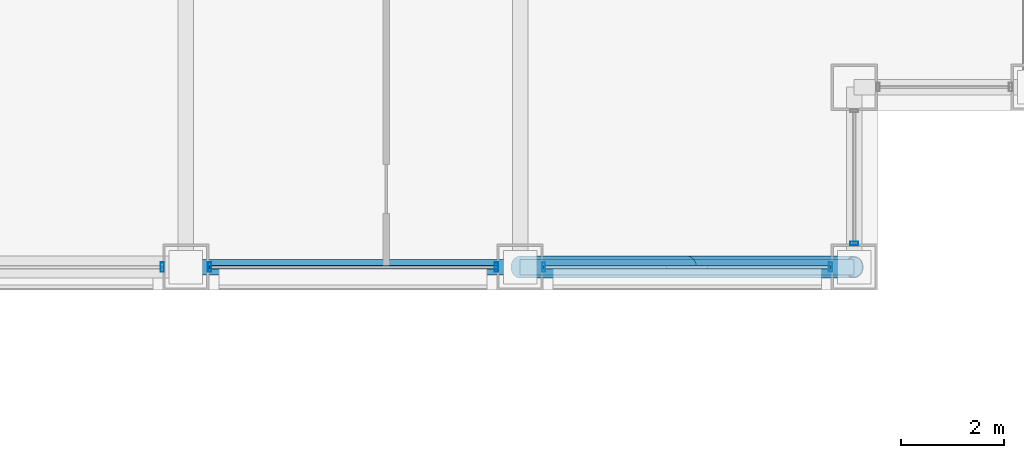
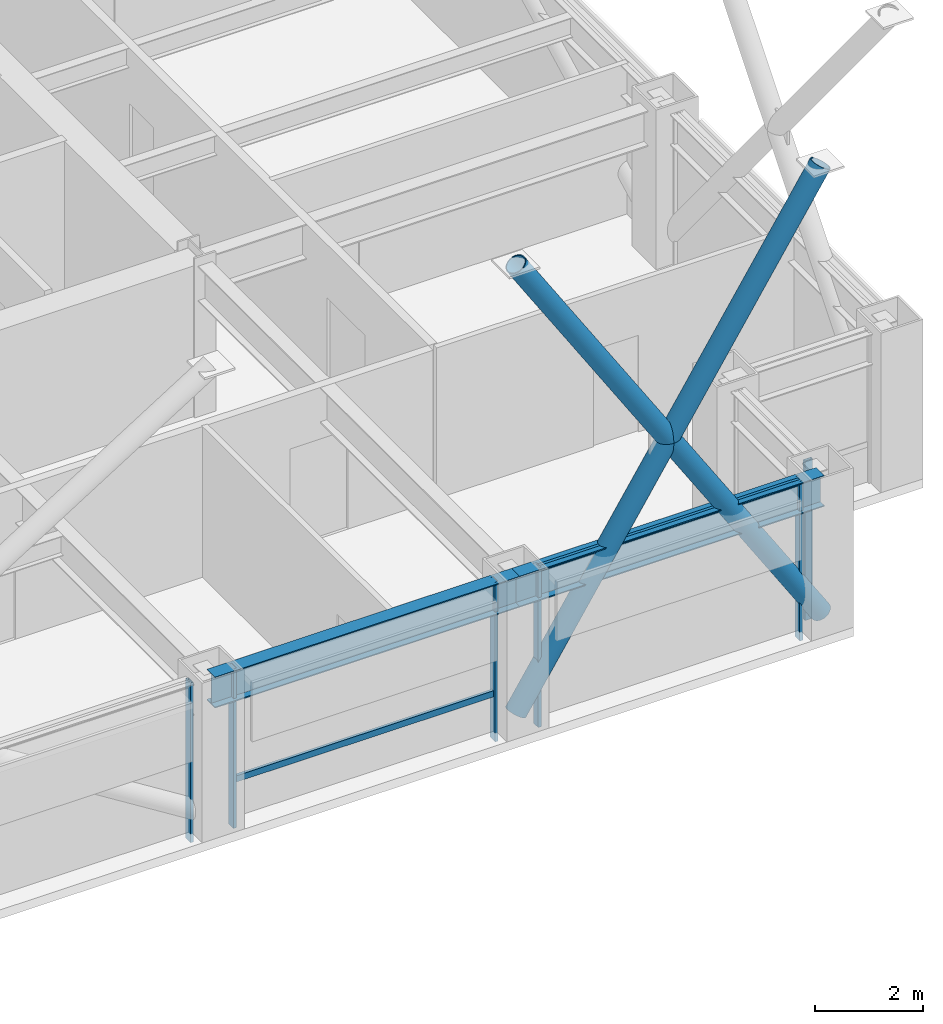
# One storey, part 8 of 30: 11 members, 2 beams, 4 elements without a shape of their own.
"""IFC4 building model written with IfcOpenShell, lengths in metres."""

import ifcopenshell
import ifcopenshell.guid

model = None  # the IFC model being written
_history = None  # IfcOwnerHistory: only IFC2X3 demands one
_inside = {}  # id of a spatial element -> (the spatial element, [elements in it])
_under = {}  # id of a project, library or spatial element -> (it, [spatial elements below it])
_declared = {}  # id of a project -> (the project, [libraries it declares])
_typed = {}  # id of a type object -> (the type object, [elements of that type])
_made_of = {}  # id of a material, layer set ... -> (it, [elements and type objects made of it])


def new_model(schema):
    """Start an empty IFC model of exactly this schema.

    Asked for "IFC4X3", IfcOpenShell would pick the latest addendum, in which some entities
    have other attributes; the version numbers below select the first issue.
    IFC2X3 requires an IfcOwnerHistory on every rooted entity: one is made here for all.
    """
    global model, _history
    if schema == "IFC4X3":
        model = ifcopenshell.file(schema_version=(4, 3, 0, 0))
    else:
        model = ifcopenshell.file(schema=schema)
    _inside.clear()
    _under.clear()
    _declared.clear()
    _typed.clear()
    _made_of.clear()
    _history = None
    if model.schema == "IFC2X3":
        org = make("IfcOrganization", Name="unknown")
        user = make(
            "IfcPersonAndOrganization",
            ThePerson=make("IfcPerson", FamilyName="unknown"),
            TheOrganization=org,
        )
        app = make(
            "IfcApplication",
            ApplicationDeveloper=org,
            Version="unknown",
            ApplicationFullName="unknown",
            ApplicationIdentifier="unknown",
        )
        _history = make(
            "IfcOwnerHistory",
            OwningUser=user,
            OwningApplication=app,
            ChangeAction="ADDED",
            CreationDate=0,
        )
    return model


def make(cls, **values):
    """One entity of the class cls with the attributes given. An attribute that is None is left unset."""
    return model.create_entity(
        cls, **{name: value for name, value in values.items() if value is not None}
    )


def rooted(cls, **values):
    """An entity with a GlobalId (a new one), such as an element, a storey or a relation."""
    return make(cls, GlobalId=ifcopenshell.guid.new(), OwnerHistory=_history, **values)


def si_unit(unit_type, name, prefix=None):
    """IfcSIUnit, for example si_unit("LENGTHUNIT", "METRE", prefix="MILLI")."""
    return make("IfcSIUnit", UnitType=unit_type, Prefix=prefix, Name=name)


def assignment(units):
    """IfcUnitAssignment: the units of a project."""
    return None if units is None else make("IfcUnitAssignment", Units=units)


def point(xyz):
    """IfcCartesianPoint."""
    return None if xyz is None else make("IfcCartesianPoint", Coordinates=xyz)


def direction(xyz):
    """IfcDirection."""
    return None if xyz is None else make("IfcDirection", DirectionRatios=xyz)


def frame(location, z_axis=None, x_axis=None):
    """IfcAxis2Placement3D, a coordinate frame: its origin and axes. An axis left out is left unset."""
    return make(
        "IfcAxis2Placement3D",
        Location=point(location),
        Axis=direction(z_axis),
        RefDirection=direction(x_axis),
    )


def frame_2d(location, x_axis=None):
    """IfcAxis2Placement2D, a coordinate frame in the plane: its origin and x axis."""
    return make(
        "IfcAxis2Placement2D", Location=point(location), RefDirection=direction(x_axis)
    )


def origin():
    """The frame at (0, 0, 0) with its axes left unset."""
    return frame((0.0, 0.0, 0.0))


def origin_2d():
    """The frame at (0, 0) in the plane with its x axis left unset."""
    return frame_2d((0.0, 0.0))


def place(relative_to, where):
    """IfcLocalPlacement: puts the frame where relative to a parent placement (None: the world)."""
    return make(
        "IfcLocalPlacement", PlacementRelTo=relative_to, RelativePlacement=where
    )


def context(
    kind, dimensions, precision=None, world=None, true_north=None, identifier=None
):
    """IfcGeometricRepresentationContext, for example the 3D "Model" context."""
    return make(
        "IfcGeometricRepresentationContext",
        ContextIdentifier=identifier,
        ContextType=kind,
        CoordinateSpaceDimension=dimensions,
        Precision=precision,
        WorldCoordinateSystem=world,
        TrueNorth=true_north,
    )


def subcontext(parent, identifier, kind, view, scale=None):
    """IfcGeometricRepresentationSubContext, for example "Body" below "Model"."""
    return make(
        "IfcGeometricRepresentationSubContext",
        ContextIdentifier=identifier,
        ContextType=kind,
        ParentContext=parent,
        TargetScale=scale,
        TargetView=view,
    )


def project(units=None, contexts=None):
    """IfcProject with its units and contexts."""
    return rooted(
        "IfcProject",
        Name="project",
        RepresentationContexts=contexts,
        UnitsInContext=assignment(units),
    )


def spatial(cls, under=None, at=None, **own):
    """A site, building, storey or space (cls), placed at a placement, below another one or the project."""
    s = rooted(cls, ObjectPlacement=at, **own)
    if under is not None:
        _under.setdefault(under.id(), (under, []))[1].append(s)
    return s


def profile(cls, at=None, kind="AREA", **sizes):
    """A parametric profile (cls). Its sizes go by their IFC names, for example OverallWidth=200.0."""
    return make(cls, ProfileType=kind, Position=at, **sizes)


def hollow_rectangle(**sizes):
    """IfcRectangleHollowProfileDef."""
    return profile("IfcRectangleHollowProfileDef", **sizes)


def hollow_circle(**sizes):
    """IfcCircleHollowProfileDef."""
    return profile("IfcCircleHollowProfileDef", **sizes)


def i_section(**sizes):
    """IfcIShapeProfileDef."""
    return profile("IfcIShapeProfileDef", **sizes)


def extrude(swept, where, along, depth):
    """IfcExtrudedAreaSolid: the profile swept, set in the frame where, extruded along a direction by depth."""
    return make(
        "IfcExtrudedAreaSolid",
        SweptArea=swept,
        Position=where,
        ExtrudedDirection=direction(along),
        Depth=depth,
    )


def shape(context_of_items, identifier, shape_type, items):
    """IfcShapeRepresentation: the items that make up one representation, for example the "Body"."""
    return make(
        "IfcShapeRepresentation",
        ContextOfItems=context_of_items,
        RepresentationIdentifier=identifier,
        RepresentationType=shape_type,
        Items=items,
    )


def material(Name=None, Category=None):
    """IfcMaterial."""
    return make("IfcMaterial", Name=Name, Category=Category)


def layer(
    of_material, thickness, ventilated=None, Name=None, Category=None, Priority=None
):
    """IfcMaterialLayer: one layer of a wall or slab, of a material (None: an air gap)."""
    return make(
        "IfcMaterialLayer",
        Material=of_material,
        LayerThickness=thickness,
        IsVentilated=ventilated,
        Name=Name,
        Category=Category,
        Priority=Priority,
    )


def layer_set(layers, Name=None):
    """IfcMaterialLayerSet."""
    return make("IfcMaterialLayerSet", MaterialLayers=layers, LayerSetName=Name)


def material_profile(
    of_material, cross_section, Name=None, Category=None, Priority=None
):
    """IfcMaterialProfile: a cross section and its material."""
    return make(
        "IfcMaterialProfile",
        Name=Name,
        Material=of_material,
        Profile=cross_section,
        Priority=Priority,
        Category=Category,
    )


def profile_set(profiles, Name=None, composite=None):
    """IfcMaterialProfileSet."""
    return make(
        "IfcMaterialProfileSet",
        Name=Name,
        MaterialProfiles=profiles,
        CompositeProfile=composite,
    )


def made_of(thing, what):
    """Note that an element or type object is made of a material, layer set ...; save() writes the relation."""
    if what is not None:
        _made_of.setdefault(what.id(), (what, []))[1].append(thing)
    return thing


def type_object(cls, material=None, **own):
    """A type object (cls), such as IfcWallType, which elements share."""
    return made_of(rooted(cls, **own), material)


def element(
    cls,
    number,
    at=None,
    inside=None,
    cuts=None,
    type_object=None,
    material=None,
    context=None,
    identifier="Body",
    shape_type=None,
    held_by="IfcProductDefinitionShape",
    body=None,
    shapes=None,
    **own,
):
    """One element of the class cls, such as IfcWall. Its Tag is "e" and its number.

    at: its placement. inside: the storey or other place that contains it. cuts: it is an
    opening in that element (IfcRelVoidsElement). A single representation is given by context,
    identifier, shape_type and body (its items); several are given by shapes. held_by: the class
    of the entity that holds the representations. save() writes the other relations.
    """
    e = rooted(cls, Tag="e%d" % number, ObjectPlacement=at, **own)
    if body is not None:
        shapes = [shape(context, identifier, shape_type, body)]
    if shapes is not None:
        e.Representation = make(held_by, Representations=shapes)
    if inside is not None:
        _inside.setdefault(inside.id(), (inside, []))[1].append(e)
    if cuts is not None:
        rooted(
            "IfcRelVoidsElement", RelatingBuildingElement=cuts, RelatedOpeningElement=e
        )
    if type_object is not None:
        _typed.setdefault(type_object.id(), (type_object, []))[1].append(e)
    return made_of(e, material)


def aggregate(whole, parts):
    """IfcRelAggregates: a whole, such as a stair, and the parts it consists of."""
    return rooted("IfcRelAggregates", RelatingObject=whole, RelatedObjects=parts)


def save(model, path):
    """Write the relations noted so far, then the file.

    IfcRelAggregates (storeys below a building ...), IfcRelContainedInSpatialStructure (elements
    in a storey), IfcRelDefinesByType, IfcRelAssociatesMaterial and IfcRelDeclares: one each for
    every whole, place, type object, material and project.
    """
    for whole, parts in _under.values():
        aggregate(whole, parts)
    for where, things in _inside.values():
        rooted(
            "IfcRelContainedInSpatialStructure",
            RelatedElements=things,
            RelatingStructure=where,
        )
    for kind, things in _typed.values():
        rooted("IfcRelDefinesByType", RelatedObjects=things, RelatingType=kind)
    for what, things in _made_of.values():
        rooted("IfcRelAssociatesMaterial", RelatedObjects=things, RelatingMaterial=what)
    for by, libraries in _declared.values():
        rooted("IfcRelDeclares", RelatingContext=by, RelatedDefinitions=libraries)
    model.write(path)


model = new_model("IFC4")

# Units and contexts
model_context = context("Model", 3, precision=1e-05, world=origin(), true_north=direction((0.0, 1.0)))
body_context = subcontext(model_context, "Body", "Model", "MODEL_VIEW")
ifc_project = project(units=[si_unit("LENGTHUNIT", "METRE"), si_unit("AREAUNIT", "SQUARE_METRE"), si_unit("VOLUMEUNIT", "CUBIC_METRE"), si_unit("PLANEANGLEUNIT", "RADIAN"), si_unit("MASSUNIT", "GRAM", prefix="KILO")], contexts=[model_context])

# Site, building, storey
site_placement = place(None, origin())
site = spatial("IfcSite", under=ifc_project, at=site_placement, CompositionType="ELEMENT")
building_placement = place(site_placement, origin())
building = spatial("IfcBuilding", under=site, at=building_placement, Name="Brelmoor Portico Tower", CompositionType="ELEMENT")
storey_placement = place(building_placement, frame((0.0, 0.0, 56.39990234375)))
storey = spatial("IfcBuildingStorey", under=building, at=storey_placement, Name="L14", CompositionType="ELEMENT", Elevation=56.39990234375)

# Beams
ifc_material_1 = material(Name="Steel Q355B", Category="steel")
ifc_material_profile_1 = material_profile(ifc_material_1, i_section(OverallWidth=0.300048828125, OverallDepth=0.699951171875, WebThickness=0.012939453125, FlangeThickness=0.02392578125, at=origin_2d()), Name="HN 700x300x13x24")
ifc_profile_set_1 = profile_set([ifc_material_profile_1], Name="Steel Q355B")
beam_type = type_object("IfcBeamType", Name="BM-SP-700", PredefinedType="SPANDREL", material=ifc_profile_set_1)
for number, where, z_axis, x_axis, name in (
    (1, (8.050048828125, -21.550048828125, 3.050048828125), (1.0, 0.0, 0.0), (0.0, 1.0, 0.0), "L14 Perimeter Spandrel Beam SP-04"),
    (2, (14.550048828125, -21.550048828125, 3.050048828125), (1.0, 0.0, 0.0), (0.0, 1.0, 0.0), "L14 Perimeter Spandrel Beam SP-05"),
):
    element("IfcBeam", number, at=place(storey_placement, frame(where, z_axis=z_axis, x_axis=x_axis)), inside=storey, type_object=beam_type, Name=name, PredefinedType="SPANDREL", context=body_context, shape_type="SweptSolid", body=[
        extrude(i_section(OverallWidth=0.300048828125, OverallDepth=0.699951171875, WebThickness=0.012939453125, FlangeThickness=0.02392578125, at=origin_2d()), origin(), (0.0, 0.0, 1.0), 6.5),
    ])

# Members
ifc_material_profile_2 = material_profile(ifc_material_1, hollow_circle(Radius=0.212890625, WallThickness=0.02001953125, at=origin_2d()), Name="CHS 426x20")
ifc_profile_set_2 = profile_set([ifc_material_profile_2], Name="Steel Q355B")
member_type_1 = type_object("IfcMemberType", Name="MB-BELT-DIAG1", PredefinedType="BRACE", material=ifc_profile_set_2)
member_1_placement = place(storey_placement, frame((14.550048828125, -21.550048828125, 0.25), z_axis=(0.541174623135, 0.0, 0.840910237347), x_axis=(0.0, 1.0, 0.0)))
element("IfcMember", 3, at=member_1_placement, inside=storey, type_object=member_type_1, Name="L14 Continuous Mega-X Brace 026A", PredefinedType="BRACE", context=body_context, shape_type="SweptSolid", body=[
    extrude(hollow_circle(Radius=0.212890625, WallThickness=0.02001953125, at=origin_2d()), origin(), (0.0, 0.0, 1.0), 12.010986328125),
])
for number, where, z_axis, x_axis, name in (
    (4, (21.050048828125, -21.550048828125, 0.25), (-0.541174623135, 0.0, 0.840910237347), (0.0, -1.0, 0.0), "L14 Split Mega-X Brace 026B1"),
    (5, (17.800048828125, -21.550048828125, 5.300048828125), (-0.541174623135, 0.0, 0.840910237347), (0.0, -1.0, 0.0), "L14 Split Mega-X Brace 026B2"),
):
    element("IfcMember", number, at=place(storey_placement, frame(where, z_axis=z_axis, x_axis=x_axis)), inside=storey, type_object=member_type_1, Name=name, PredefinedType="BRACE", context=body_context, shape_type="SweptSolid", body=[
        extrude(hollow_circle(Radius=0.212890625, WallThickness=0.02001953125, at=origin_2d()), origin(), (0.0, 0.0, 1.0), 6.00537109375),
    ])

# Curtain wall, member
ifc_material_2 = material(Name="Anodised Aluminium Alloy 6063-T6", Category="aluminium")
ifc_layer_1 = layer(ifc_material_2, 0.179931640625)
ifc_layer_set_1 = layer_set([ifc_layer_1], Name="Anodised Aluminium Alloy 6063-T6")
curtain_wall_type_1 = type_object("IfcCurtainWallType", Name="CW-NOTCH-CHAMFER", PredefinedType="NOTDEFINED", material=ifc_layer_set_1)
curtain_wall_1_placement = place(storey_placement, origin())
curtain_wall_1 = element("IfcCurtainWall", 6, at=curtain_wall_1_placement, inside=storey, type_object=curtain_wall_type_1, Name="L14 Curtain Wall CWN-L14-SEV", PredefinedType="NOTDEFINED")
ifc_material_profile_3 = material_profile(ifc_material_2, hollow_rectangle(XDim=0.06494140625, YDim=0.1650390625, WallThickness=0.00390625, at=origin_2d()), Name="ALU MULLION 65x165")
ifc_profile_set_3 = profile_set([ifc_material_profile_3], Name="Anodised Aluminium Alloy 6063-T6")
member_type_2 = type_object("IfcMemberType", Name="MB-CW-MULL-165", PredefinedType="MULLION", material=ifc_profile_set_3)
member_2_placement = place(storey_placement, frame((21.050048828125, -21.090087890625, -0.199951171875), z_axis=(0.0, 0.0, 1.0), x_axis=(0.0, 1.0, 0.0)))
member_2 = element("IfcMember", 7, at=member_2_placement, type_object=member_type_2, Name="CWN-L14-SEV Mullion 00", PredefinedType="MULLION", context=body_context, shape_type="SweptSolid", body=[
    extrude(hollow_rectangle(XDim=0.06494140625, YDim=0.1650390625, WallThickness=0.00390625, at=origin_2d()), origin(), (0.0, 0.0, 1.0), 3.60009765625),
])
aggregate(curtain_wall_1, [member_2])

ifc_layer_2 = layer(ifc_material_2, 0.179931640625)
ifc_layer_set_2 = layer_set([ifc_layer_2], Name="Anodised Aluminium Alloy 6063-T6")
curtain_wall_type_2 = type_object("IfcCurtainWallType", Name="CW-TOWER-Z1-XB", PredefinedType="NOTDEFINED", material=ifc_layer_set_2)
curtain_wall_2_placement = place(storey_placement, origin())
curtain_wall_2 = element("IfcCurtainWall", 8, at=curtain_wall_2_placement, inside=storey, type_object=curtain_wall_type_2, Name="L14 Curtain Wall CW-L14-1R-2", PredefinedType="NOTDEFINED")
ifc_material_profile_4 = material_profile(ifc_material_2, hollow_rectangle(XDim=0.06494140625, YDim=0.179931640625, WallThickness=0.00390625, at=origin_2d()), Name="ALU MULLION 65x180")
ifc_profile_set_4 = profile_set([ifc_material_profile_4], Name="Anodised Aluminium Alloy 6063-T6")
member_type_3 = type_object("IfcMemberType", Name="MB-CW-MULL-180", PredefinedType="MULLION", material=ifc_profile_set_4)
member_3_placement = place(storey_placement, frame((7.590087890625, -21.550048828125, -0.199951171875), z_axis=(0.0, 0.0, 1.0), x_axis=(1.0, 0.0, 0.0)))
member_3 = element("IfcMember", 9, at=member_3_placement, type_object=member_type_3, Name="CW-L14-1R-2 Mullion 01", PredefinedType="MULLION", context=body_context, shape_type="SweptSolid", body=[
    extrude(hollow_rectangle(XDim=0.06494140625, YDim=0.179931640625, WallThickness=0.00390625, at=origin_2d()), origin(), (0.0, 0.0, 1.0), 3.60009765625),
])
aggregate(curtain_wall_2, [member_3])

# Curtain wall, members
ifc_layer_3 = layer(ifc_material_2, 0.179931640625)
ifc_layer_set_3 = layer_set([ifc_layer_3], Name="Anodised Aluminium Alloy 6063-T6")
curtain_wall_type_3 = type_object("IfcCurtainWallType", Name="CW-TOWER-Z1", PredefinedType="NOTDEFINED", material=ifc_layer_set_3)
curtain_wall_3_placement = place(storey_placement, origin())
curtain_wall_3 = element("IfcCurtainWall", 10, at=curtain_wall_3_placement, inside=storey, type_object=curtain_wall_type_3, Name="L14 Curtain Wall CW-L14-1R-3", PredefinedType="NOTDEFINED")
member_4_placement = place(storey_placement, frame((8.510009765625, -21.550048828125, -0.199951171875), z_axis=(0.0, 0.0, 1.0), x_axis=(1.0, 0.0, 0.0)))
member_4 = element("IfcMember", 11, at=member_4_placement, type_object=member_type_3, Name="CW-L14-1R-3 Mullion 00", PredefinedType="MULLION", context=body_context, shape_type="SweptSolid", body=[
    extrude(hollow_rectangle(XDim=0.06494140625, YDim=0.179931640625, WallThickness=0.00390625, at=origin_2d()), origin(), (0.0, 0.0, 1.0), 3.60009765625),
])
member_5_placement = place(storey_placement, frame((14.090087890625, -21.550048828125, -0.199951171875), z_axis=(0.0, 0.0, 1.0), x_axis=(1.0, 0.0, 0.0)))
member_5 = element("IfcMember", 12, at=member_5_placement, type_object=member_type_3, Name="CW-L14-1R-3 Mullion 01", PredefinedType="MULLION", context=body_context, shape_type="SweptSolid", body=[
    extrude(hollow_rectangle(XDim=0.06494140625, YDim=0.179931640625, WallThickness=0.00390625, at=origin_2d()), origin(), (0.0, 0.0, 1.0), 3.60009765625),
])

curtain_wall_4_placement = place(storey_placement, origin())
curtain_wall_4 = element("IfcCurtainWall", 13, at=curtain_wall_4_placement, inside=storey, type_object=curtain_wall_type_2, Name="L14 Curtain Wall CW-L14-1R-4", PredefinedType="NOTDEFINED")
member_6_placement = place(storey_placement, frame((15.010009765625, -21.550048828125, -0.199951171875), z_axis=(0.0, 0.0, 1.0), x_axis=(1.0, 0.0, 0.0)))
member_6 = element("IfcMember", 14, at=member_6_placement, type_object=member_type_3, Name="CW-L14-1R-4 Mullion 00", PredefinedType="MULLION", context=body_context, shape_type="SweptSolid", body=[
    extrude(hollow_rectangle(XDim=0.06494140625, YDim=0.179931640625, WallThickness=0.00390625, at=origin_2d()), origin(), (0.0, 0.0, 1.0), 3.60009765625),
])
member_7_placement = place(storey_placement, frame((20.590087890625, -21.550048828125, -0.199951171875), z_axis=(0.0, 0.0, 1.0), x_axis=(1.0, 0.0, 0.0)))
member_7 = element("IfcMember", 15, at=member_7_placement, type_object=member_type_3, Name="CW-L14-1R-4 Mullion 01", PredefinedType="MULLION", context=body_context, shape_type="SweptSolid", body=[
    extrude(hollow_rectangle(XDim=0.06494140625, YDim=0.179931640625, WallThickness=0.00390625, at=origin_2d()), origin(), (0.0, 0.0, 1.0), 3.60009765625),
])

# Member
ifc_material_profile_5 = material_profile(ifc_material_2, hollow_rectangle(XDim=0.06494140625, YDim=0.139892578125, WallThickness=0.00390625, at=origin_2d()), Name="ALU TRANSOM 65x140")
ifc_profile_set_5 = profile_set([ifc_material_profile_5], Name="Anodised Aluminium Alloy 6063-T6")
member_type_4 = type_object("IfcMemberType", Name="MB-CW-TRAN-140", PredefinedType="USERDEFINED", material=ifc_profile_set_5)
member_8_placement = place(storey_placement, frame((8.510009765625, -21.550048828125, 0.85009765625), z_axis=(1.0, 0.0, 0.0), x_axis=(0.0, 1.0, 0.0)))
member_8 = element("IfcMember", 16, at=member_8_placement, type_object=member_type_4, Name="CW-L14-1R-3 Transom 1-00", ObjectType="TRANSOM", PredefinedType="USERDEFINED", context=body_context, shape_type="SweptSolid", body=[
    extrude(hollow_rectangle(XDim=0.06494140625, YDim=0.139892578125, WallThickness=0.00390625, at=origin_2d()), origin(), (0.0, 0.0, 1.0), 5.580078125),
])

aggregate(curtain_wall_3, [member_4, member_5, member_8])

member_9_placement = place(storey_placement, frame((15.010009765625, -21.550048828125, 3.330078125), z_axis=(1.0, 0.0, 0.0), x_axis=(0.0, 1.0, 0.0)))
member_9 = element("IfcMember", 17, at=member_9_placement, type_object=member_type_4, Name="CW-L14-1R-4 Transom 1-00", ObjectType="TRANSOM", PredefinedType="USERDEFINED", context=body_context, shape_type="SweptSolid", body=[
    extrude(hollow_rectangle(XDim=0.06494140625, YDim=0.139892578125, WallThickness=0.00390625, at=origin_2d()), origin(), (0.0, 0.0, 1.0), 5.580078125),
])

aggregate(curtain_wall_4, [member_6, member_7, member_9])

save(model, "model.ifc")
